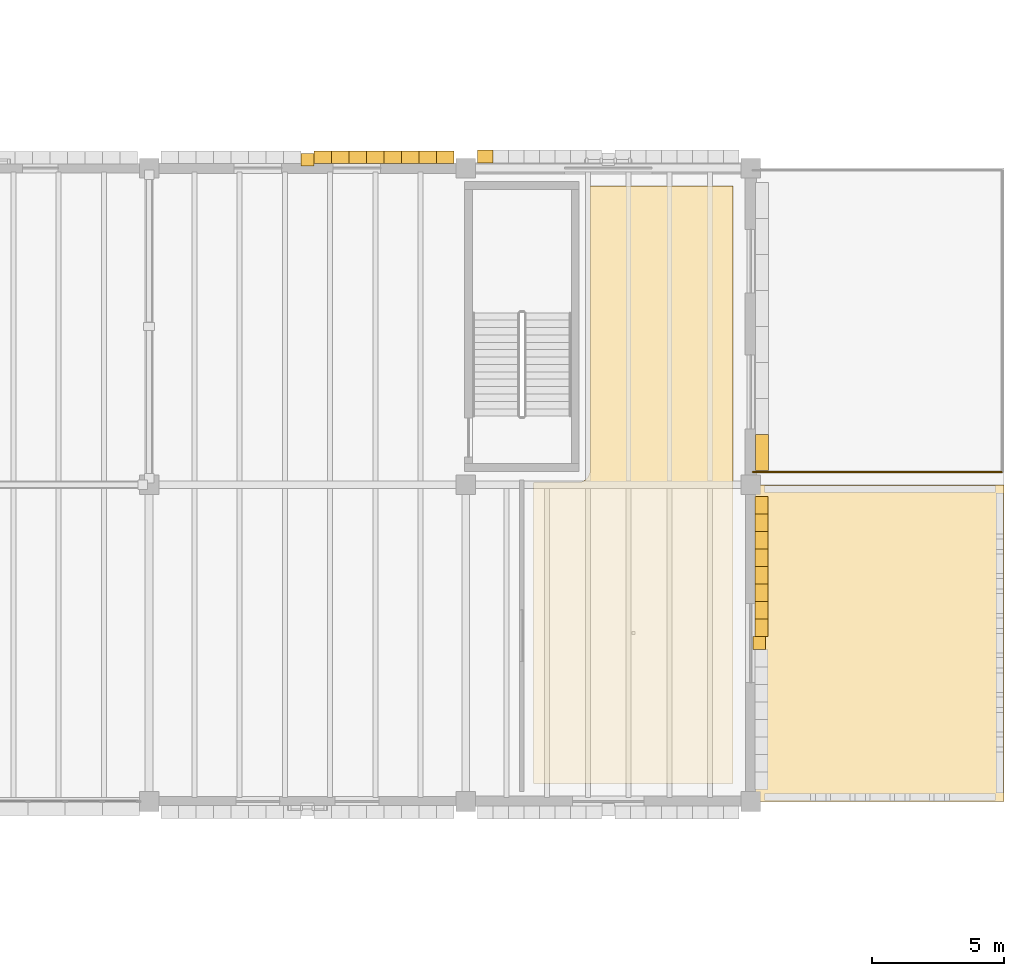
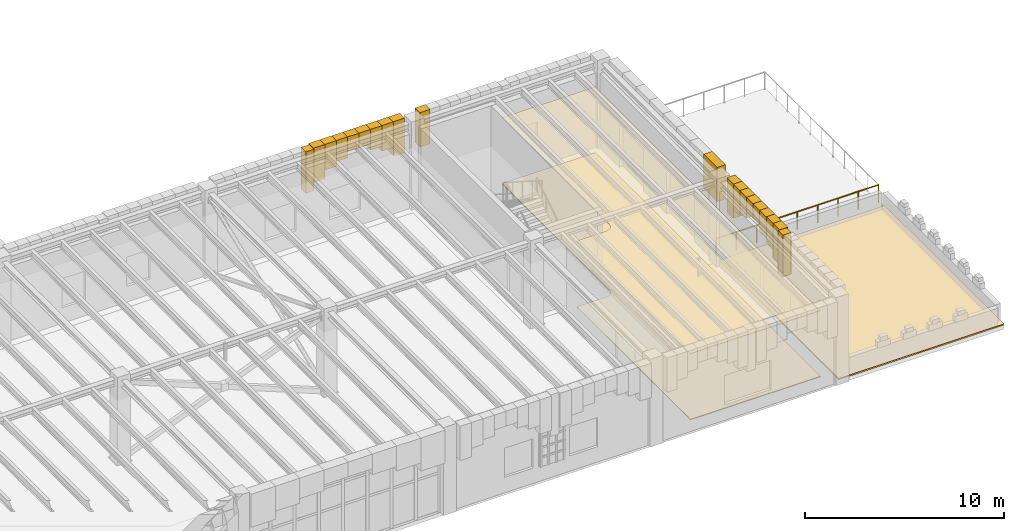
# One storey, part 95 of 103: 23 coverings, 1 railing.
"""IFC4 building model written with IfcOpenShell, lengths in metres."""

import ifcopenshell
import ifcopenshell.guid

model = None  # the IFC model being written
_history = None  # IfcOwnerHistory: only IFC2X3 demands one
_inside = {}  # id of a spatial element -> (the spatial element, [elements in it])
_under = {}  # id of a project, library or spatial element -> (it, [spatial elements below it])
_declared = {}  # id of a project -> (the project, [libraries it declares])
_typed = {}  # id of a type object -> (the type object, [elements of that type])
_made_of = {}  # id of a material, layer set ... -> (it, [elements and type objects made of it])


def new_model(schema):
    """Start an empty IFC model of exactly this schema.

    Asked for "IFC4X3", IfcOpenShell would pick the latest addendum, in which some entities
    have other attributes; the version numbers below select the first issue.
    IFC2X3 requires an IfcOwnerHistory on every rooted entity: one is made here for all.
    """
    global model, _history
    if schema == "IFC4X3":
        model = ifcopenshell.file(schema_version=(4, 3, 0, 0))
    else:
        model = ifcopenshell.file(schema=schema)
    _inside.clear()
    _under.clear()
    _declared.clear()
    _typed.clear()
    _made_of.clear()
    _history = None
    if model.schema == "IFC2X3":
        org = make("IfcOrganization", Name="unknown")
        user = make(
            "IfcPersonAndOrganization",
            ThePerson=make("IfcPerson", FamilyName="unknown"),
            TheOrganization=org,
        )
        app = make(
            "IfcApplication",
            ApplicationDeveloper=org,
            Version="unknown",
            ApplicationFullName="unknown",
            ApplicationIdentifier="unknown",
        )
        _history = make(
            "IfcOwnerHistory",
            OwningUser=user,
            OwningApplication=app,
            ChangeAction="ADDED",
            CreationDate=0,
        )
    return model


def make(cls, **values):
    """One entity of the class cls with the attributes given. An attribute that is None is left unset."""
    return model.create_entity(
        cls, **{name: value for name, value in values.items() if value is not None}
    )


def rooted(cls, **values):
    """An entity with a GlobalId (a new one), such as an element, a storey or a relation."""
    return make(cls, GlobalId=ifcopenshell.guid.new(), OwnerHistory=_history, **values)


def si_unit(unit_type, name, prefix=None):
    """IfcSIUnit, for example si_unit("LENGTHUNIT", "METRE", prefix="MILLI")."""
    return make("IfcSIUnit", UnitType=unit_type, Prefix=prefix, Name=name)


def assignment(units):
    """IfcUnitAssignment: the units of a project."""
    return None if units is None else make("IfcUnitAssignment", Units=units)


def point(xyz):
    """IfcCartesianPoint."""
    return None if xyz is None else make("IfcCartesianPoint", Coordinates=xyz)


def direction(xyz):
    """IfcDirection."""
    return None if xyz is None else make("IfcDirection", DirectionRatios=xyz)


def frame(location, z_axis=None, x_axis=None):
    """IfcAxis2Placement3D, a coordinate frame: its origin and axes. An axis left out is left unset."""
    return make(
        "IfcAxis2Placement3D",
        Location=point(location),
        Axis=direction(z_axis),
        RefDirection=direction(x_axis),
    )


def frame_2d(location, x_axis=None):
    """IfcAxis2Placement2D, a coordinate frame in the plane: its origin and x axis."""
    return make(
        "IfcAxis2Placement2D", Location=point(location), RefDirection=direction(x_axis)
    )


def origin():
    """The frame at (0, 0, 0) with its axes left unset."""
    return frame((0.0, 0.0, 0.0))


def origin_2d():
    """The frame at (0, 0) in the plane with its x axis left unset."""
    return frame_2d((0.0, 0.0))


def place(relative_to, where):
    """IfcLocalPlacement: puts the frame where relative to a parent placement (None: the world)."""
    return make(
        "IfcLocalPlacement", PlacementRelTo=relative_to, RelativePlacement=where
    )


def context(
    kind, dimensions, precision=None, world=None, true_north=None, identifier=None
):
    """IfcGeometricRepresentationContext, for example the 3D "Model" context."""
    return make(
        "IfcGeometricRepresentationContext",
        ContextIdentifier=identifier,
        ContextType=kind,
        CoordinateSpaceDimension=dimensions,
        Precision=precision,
        WorldCoordinateSystem=world,
        TrueNorth=true_north,
    )


def subcontext(parent, identifier, kind, view, scale=None):
    """IfcGeometricRepresentationSubContext, for example "Body" below "Model"."""
    return make(
        "IfcGeometricRepresentationSubContext",
        ContextIdentifier=identifier,
        ContextType=kind,
        ParentContext=parent,
        TargetScale=scale,
        TargetView=view,
    )


def project(units=None, contexts=None):
    """IfcProject with its units and contexts."""
    return rooted(
        "IfcProject",
        Name="project",
        RepresentationContexts=contexts,
        UnitsInContext=assignment(units),
    )


def spatial(cls, under=None, at=None, **own):
    """A site, building, storey or space (cls), placed at a placement, below another one or the project."""
    s = rooted(cls, ObjectPlacement=at, **own)
    if under is not None:
        _under.setdefault(under.id(), (under, []))[1].append(s)
    return s


def polyline(points):
    """IfcPolyline through the points."""
    return make("IfcPolyline", Points=[point(p) for p in points])


def profile(cls, at=None, kind="AREA", **sizes):
    """A parametric profile (cls). Its sizes go by their IFC names, for example OverallWidth=200.0."""
    return make(cls, ProfileType=kind, Position=at, **sizes)


def circle(**sizes):
    """IfcCircleProfileDef."""
    return profile("IfcCircleProfileDef", **sizes)


def outline(outer, holes=None, kind="AREA"):
    """IfcArbitraryClosedProfileDef: a profile drawn as a closed curve; with holes, ...WithVoids."""
    if holes is None:
        return make("IfcArbitraryClosedProfileDef", ProfileType=kind, OuterCurve=outer)
    return make(
        "IfcArbitraryProfileDefWithVoids",
        ProfileType=kind,
        OuterCurve=outer,
        InnerCurves=holes,
    )


def extrude(swept, where, along, depth):
    """IfcExtrudedAreaSolid: the profile swept, set in the frame where, extruded along a direction by depth."""
    return make(
        "IfcExtrudedAreaSolid",
        SweptArea=swept,
        Position=where,
        ExtrudedDirection=direction(along),
        Depth=depth,
    )


def shape(context_of_items, identifier, shape_type, items):
    """IfcShapeRepresentation: the items that make up one representation, for example the "Body"."""
    return make(
        "IfcShapeRepresentation",
        ContextOfItems=context_of_items,
        RepresentationIdentifier=identifier,
        RepresentationType=shape_type,
        Items=items,
    )


def material(Name=None, Category=None):
    """IfcMaterial."""
    return make("IfcMaterial", Name=Name, Category=Category)


def layer(
    of_material, thickness, ventilated=None, Name=None, Category=None, Priority=None
):
    """IfcMaterialLayer: one layer of a wall or slab, of a material (None: an air gap)."""
    return make(
        "IfcMaterialLayer",
        Material=of_material,
        LayerThickness=thickness,
        IsVentilated=ventilated,
        Name=Name,
        Category=Category,
        Priority=Priority,
    )


def layer_set(layers, Name=None):
    """IfcMaterialLayerSet."""
    return make("IfcMaterialLayerSet", MaterialLayers=layers, LayerSetName=Name)


def made_of(thing, what):
    """Note that an element or type object is made of a material, layer set ...; save() writes the relation."""
    if what is not None:
        _made_of.setdefault(what.id(), (what, []))[1].append(thing)
    return thing


def type_object(cls, material=None, **own):
    """A type object (cls), such as IfcWallType, which elements share."""
    return made_of(rooted(cls, **own), material)


def element(
    cls,
    number,
    at=None,
    inside=None,
    cuts=None,
    type_object=None,
    material=None,
    context=None,
    identifier="Body",
    shape_type=None,
    held_by="IfcProductDefinitionShape",
    body=None,
    shapes=None,
    **own,
):
    """One element of the class cls, such as IfcWall. Its Tag is "e" and its number.

    at: its placement. inside: the storey or other place that contains it. cuts: it is an
    opening in that element (IfcRelVoidsElement). A single representation is given by context,
    identifier, shape_type and body (its items); several are given by shapes. held_by: the class
    of the entity that holds the representations. save() writes the other relations.
    """
    e = rooted(cls, Tag="e%d" % number, ObjectPlacement=at, **own)
    if body is not None:
        shapes = [shape(context, identifier, shape_type, body)]
    if shapes is not None:
        e.Representation = make(held_by, Representations=shapes)
    if inside is not None:
        _inside.setdefault(inside.id(), (inside, []))[1].append(e)
    if cuts is not None:
        rooted(
            "IfcRelVoidsElement", RelatingBuildingElement=cuts, RelatedOpeningElement=e
        )
    if type_object is not None:
        _typed.setdefault(type_object.id(), (type_object, []))[1].append(e)
    return made_of(e, material)


def aggregate(whole, parts):
    """IfcRelAggregates: a whole, such as a stair, and the parts it consists of."""
    return rooted("IfcRelAggregates", RelatingObject=whole, RelatedObjects=parts)


def save(model, path):
    """Write the relations noted so far, then the file.

    IfcRelAggregates (storeys below a building ...), IfcRelContainedInSpatialStructure (elements
    in a storey), IfcRelDefinesByType, IfcRelAssociatesMaterial and IfcRelDeclares: one each for
    every whole, place, type object, material and project.
    """
    for whole, parts in _under.values():
        aggregate(whole, parts)
    for where, things in _inside.values():
        rooted(
            "IfcRelContainedInSpatialStructure",
            RelatedElements=things,
            RelatingStructure=where,
        )
    for kind, things in _typed.values():
        rooted("IfcRelDefinesByType", RelatedObjects=things, RelatingType=kind)
    for what, things in _made_of.values():
        rooted("IfcRelAssociatesMaterial", RelatedObjects=things, RelatingMaterial=what)
    for by, libraries in _declared.values():
        rooted("IfcRelDeclares", RelatingContext=by, RelatedDefinitions=libraries)
    model.write(path)


model = new_model("IFC4")

# Units and contexts
model_context = context("Model", 3, precision=1e-05, world=origin(), true_north=direction((0.0, 1.0)))
body_context = subcontext(model_context, "Body", "Model", "MODEL_VIEW")
ifc_project = project(units=[si_unit("LENGTHUNIT", "METRE"), si_unit("AREAUNIT", "SQUARE_METRE"), si_unit("VOLUMEUNIT", "CUBIC_METRE"), si_unit("PLANEANGLEUNIT", "RADIAN"), si_unit("MASSUNIT", "GRAM", prefix="KILO")], contexts=[model_context])

# Site, building, storey
site_placement = place(None, origin())
site = spatial("IfcSite", under=ifc_project, at=site_placement, CompositionType="ELEMENT")
building_placement = place(site_placement, origin())
building = spatial("IfcBuilding", under=site, at=building_placement, Name="Zlatogorsky Bluff Art Gallery", CompositionType="ELEMENT")
storey_placement = place(building_placement, origin())
storey = spatial("IfcBuildingStorey", under=building, at=storey_placement, Name="L00", CompositionType="ELEMENT", Elevation=0.0)

# Coverings
ifc_material_1 = material(Name="Perforated Gypsum Acoustic Board", Category="gypsum")
ifc_layer_1 = layer(ifc_material_1, 0.0400390625)
ifc_layer_set_1 = layer_set([ifc_layer_1], Name="Acoustic Gallery Ceiling CLG-01")
covering_type_1 = type_object("IfcCoveringType", Name="Acoustic Gallery Ceiling CLG-01", PredefinedType="CEILING", material=ifc_layer_set_1)
covering_1_placement = place(storey_placement, frame((0.0, 0.0, 4.050048828125)))
element("IfcCovering", 1, at=covering_1_placement, inside=storey, type_object=covering_type_1, Name="Conservation Studios and Restoration Labs acoustic ceiling", PredefinedType="CEILING", context=body_context, shape_type="SweptSolid", body=[
    extrude(outline(polyline([(166.1298828125, 49.72998046875), (166.1298828125, 27.070068359375), (158.574951171875, 27.070068359375), (158.574951171875, 38.489990234375), (160.2509765625, 38.489990234375), (160.29541015625, 38.4921875), (160.33935546875, 38.498779296875), (160.34033203125, 38.498779296875), (160.349609375, 38.5009765625), (160.3505859375, 38.501220703125), (160.393798828125, 38.512939453125), (160.435791015625, 38.529296875), (160.4375, 38.530029296875), (160.47314453125, 38.5478515625), (160.47412109375, 38.54833984375), (160.50634765625, 38.568115234375), (160.53662109375, 38.59033203125), (160.5380859375, 38.591552734375), (160.5751953125, 38.624755859375), (160.6083984375, 38.661865234375), (160.609619140625, 38.663330078125), (160.632080078125, 38.693603515625), (160.651611328125, 38.725830078125), (160.652099609375, 38.726806640625), (160.669921875, 38.762451171875), (160.6708984375, 38.764404296875), (160.68701171875, 38.80615234375), (160.698974609375, 38.849609375), (160.69921875, 38.850341796875), (160.701171875, 38.859619140625), (160.701416015625, 38.860595703125), (160.707763671875, 38.90478515625), (160.7099609375, 38.948974609375), (160.7099609375, 49.72998046875), (166.1298828125, 49.72998046875)])), origin(), (0.0, 0.0, 1.0), 0.0400390625),
])
ifc_material_2 = material(Name="Honed Red Agra-Tone Quartzitic Sandstone", Category="masonry")
ifc_layer_2 = layer(ifc_material_2, 0.1201171875)
ifc_layer_set_2 = layer_set([ifc_layer_2], Name="Carved Sandstone Cladding CLD-02")
covering_type_2 = type_object("IfcCoveringType", Name="Carved Sandstone Cladding CLD-02", PredefinedType="CLADDING", material=ifc_layer_set_2)
covering_2_placement = place(storey_placement, frame((0.0, 0.0, 2.81005859375)))
element("IfcCovering", 2, at=covering_2_placement, inside=storey, type_object=covering_type_2, Name="Mughal blind-arch sandstone pilaster L00.N.12.4", PredefinedType="CLADDING", context=body_context, shape_type="SweptSolid", body=[
    extrude(outline(polyline([(149.760009765625, 50.47998046875), (150.239990234375, 50.47998046875), (150.239990234375, 50.9599609375), (149.760009765625, 50.9599609375), (149.760009765625, 50.47998046875)])), origin(), (0.0, 0.0, 1.0), 2.550048828125),
])
covering_3_placement = place(storey_placement, frame((0.0, 0.0, 3.25244140625)))
element("IfcCovering", 3, at=covering_3_placement, inside=storey, type_object=covering_type_2, Name="Pointed Mughal arch voussoir spandrel WARCH-L00-N-12-04-B.1", PredefinedType="CLADDING", context=body_context, shape_type="SweptSolid", body=[
    extrude(outline(polyline([(150.25, 50.570068359375), (150.91259765625, 50.570068359375), (150.91259765625, 51.06005859375), (150.25, 51.06005859375), (150.25, 50.570068359375)])), origin(), (0.0, 0.0, 1.0), 2.107666015625),
])
covering_4_placement = place(storey_placement, frame((0.0, 0.0, 3.78369140625)))
element("IfcCovering", 4, at=covering_4_placement, inside=storey, type_object=covering_type_2, Name="Pointed Mughal arch voussoir spandrel WARCH-L00-N-12-04-B.2", PredefinedType="CLADDING", context=body_context, shape_type="SweptSolid", body=[
    extrude(outline(polyline([(150.91259765625, 50.570068359375), (151.574951171875, 50.570068359375), (151.574951171875, 51.06005859375), (150.91259765625, 51.06005859375), (150.91259765625, 50.570068359375)])), origin(), (0.0, 0.0, 1.0), 1.576416015625),
])
covering_5_placement = place(storey_placement, frame((0.0, 0.0, 4.07666015625)))
element("IfcCovering", 5, at=covering_5_placement, inside=storey, type_object=covering_type_2, Name="Pointed Mughal arch voussoir spandrel WARCH-L00-N-12-04-B.3", PredefinedType="CLADDING", context=body_context, shape_type="SweptSolid", body=[
    extrude(outline(polyline([(151.574951171875, 50.570068359375), (152.237548828125, 50.570068359375), (152.237548828125, 51.06005859375), (151.574951171875, 51.06005859375), (151.574951171875, 50.570068359375)])), origin(), (0.0, 0.0, 1.0), 1.283447265625),
])
covering_6_placement = place(storey_placement, frame((0.0, 0.0, 4.4453125)))
element("IfcCovering", 6, at=covering_6_placement, inside=storey, type_object=covering_type_2, Name="Pointed Mughal arch voussoir spandrel WARCH-L00-N-12-04-B.4", PredefinedType="CLADDING", context=body_context, shape_type="SweptSolid", body=[
    extrude(outline(polyline([(152.237548828125, 50.570068359375), (152.89990234375, 50.570068359375), (152.89990234375, 51.06005859375), (152.237548828125, 51.06005859375), (152.237548828125, 50.570068359375)])), origin(), (0.0, 0.0, 1.0), 0.914794921875),
])
covering_7_placement = place(storey_placement, frame((0.0, 0.0, 4.4453125)))
element("IfcCovering", 7, at=covering_7_placement, inside=storey, type_object=covering_type_2, Name="Pointed Mughal arch voussoir spandrel WARCH-L00-N-12-04-B.5", PredefinedType="CLADDING", context=body_context, shape_type="SweptSolid", body=[
    extrude(outline(polyline([(152.89990234375, 50.570068359375), (153.5625, 50.570068359375), (153.5625, 51.06005859375), (152.89990234375, 51.06005859375), (152.89990234375, 50.570068359375)])), origin(), (0.0, 0.0, 1.0), 0.914794921875),
])
covering_8_placement = place(storey_placement, frame((0.0, 0.0, 4.07666015625)))
element("IfcCovering", 8, at=covering_8_placement, inside=storey, type_object=covering_type_2, Name="Pointed Mughal arch voussoir spandrel WARCH-L00-N-12-04-B.6", PredefinedType="CLADDING", context=body_context, shape_type="SweptSolid", body=[
    extrude(outline(polyline([(153.5625, 50.570068359375), (154.22509765625, 50.570068359375), (154.22509765625, 51.06005859375), (153.5625, 51.06005859375), (153.5625, 50.570068359375)])), origin(), (0.0, 0.0, 1.0), 1.283447265625),
])
covering_9_placement = place(storey_placement, frame((0.0, 0.0, 3.78369140625)))
element("IfcCovering", 9, at=covering_9_placement, inside=storey, type_object=covering_type_2, Name="Pointed Mughal arch voussoir spandrel WARCH-L00-N-12-04-B.7", PredefinedType="CLADDING", context=body_context, shape_type="SweptSolid", body=[
    extrude(outline(polyline([(154.22509765625, 50.570068359375), (154.887451171875, 50.570068359375), (154.887451171875, 51.06005859375), (154.22509765625, 51.06005859375), (154.22509765625, 50.570068359375)])), origin(), (0.0, 0.0, 1.0), 1.576416015625),
])
covering_10_placement = place(storey_placement, frame((0.0, 0.0, 3.25244140625)))
element("IfcCovering", 10, at=covering_10_placement, inside=storey, type_object=covering_type_2, Name="Pointed Mughal arch voussoir spandrel WARCH-L00-N-12-04-B.8", PredefinedType="CLADDING", context=body_context, shape_type="SweptSolid", body=[
    extrude(outline(polyline([(154.887451171875, 50.570068359375), (155.550048828125, 50.570068359375), (155.550048828125, 51.06005859375), (154.887451171875, 51.06005859375), (154.887451171875, 50.570068359375)])), origin(), (0.0, 0.0, 1.0), 2.107666015625),
])
covering_11_placement = place(storey_placement, frame((0.0, 0.0, 2.81005859375)))
element("IfcCovering", 11, at=covering_11_placement, inside=storey, type_object=covering_type_2, Name="Mughal blind-arch sandstone pilaster L00.E.13.3", PredefinedType="CLADDING", context=body_context, shape_type="SweptSolid", body=[
    extrude(outline(polyline([(166.8798828125, 32.159912109375), (167.360107421875, 32.159912109375), (167.360107421875, 32.639892578125), (166.8798828125, 32.639892578125), (166.8798828125, 32.159912109375)])), origin(), (0.0, 0.0, 1.0), 2.550048828125),
])
covering_12_placement = place(storey_placement, frame((0.0, 0.0, 3.25244140625)))
element("IfcCovering", 12, at=covering_12_placement, inside=storey, type_object=covering_type_2, Name="Pointed Mughal arch voussoir spandrel WARCH-L00-E-13-03-B.1", PredefinedType="CLADDING", context=body_context, shape_type="SweptSolid", body=[
    extrude(outline(polyline([(166.969970703125, 32.64990234375), (166.969970703125, 33.3125), (167.4599609375, 33.3125), (167.4599609375, 32.64990234375), (166.969970703125, 32.64990234375)])), origin(), (0.0, 0.0, 1.0), 2.107666015625),
])
covering_13_placement = place(storey_placement, frame((0.0, 0.0, 3.78369140625)))
element("IfcCovering", 13, at=covering_13_placement, inside=storey, type_object=covering_type_2, Name="Pointed Mughal arch voussoir spandrel WARCH-L00-E-13-03-B.2", PredefinedType="CLADDING", context=body_context, shape_type="SweptSolid", body=[
    extrude(outline(polyline([(166.969970703125, 33.3125), (166.969970703125, 33.97509765625), (167.4599609375, 33.97509765625), (167.4599609375, 33.3125), (166.969970703125, 33.3125)])), origin(), (0.0, 0.0, 1.0), 1.576416015625),
])
covering_14_placement = place(storey_placement, frame((0.0, 0.0, 4.07666015625)))
element("IfcCovering", 14, at=covering_14_placement, inside=storey, type_object=covering_type_2, Name="Pointed Mughal arch voussoir spandrel WARCH-L00-E-13-03-B.3", PredefinedType="CLADDING", context=body_context, shape_type="SweptSolid", body=[
    extrude(outline(polyline([(166.969970703125, 33.97509765625), (166.969970703125, 34.637451171875), (167.4599609375, 34.637451171875), (167.4599609375, 33.97509765625), (166.969970703125, 33.97509765625)])), origin(), (0.0, 0.0, 1.0), 1.283447265625),
])
covering_15_placement = place(storey_placement, frame((0.0, 0.0, 4.4453125)))
element("IfcCovering", 15, at=covering_15_placement, inside=storey, type_object=covering_type_2, Name="Pointed Mughal arch voussoir spandrel WARCH-L00-E-13-03-B.4", PredefinedType="CLADDING", context=body_context, shape_type="SweptSolid", body=[
    extrude(outline(polyline([(166.969970703125, 34.637451171875), (166.969970703125, 35.300048828125), (167.4599609375, 35.300048828125), (167.4599609375, 34.637451171875), (166.969970703125, 34.637451171875)])), origin(), (0.0, 0.0, 1.0), 0.914794921875),
])
covering_16_placement = place(storey_placement, frame((0.0, 0.0, 4.4453125)))
element("IfcCovering", 16, at=covering_16_placement, inside=storey, type_object=covering_type_2, Name="Pointed Mughal arch voussoir spandrel WARCH-L00-E-13-03-B.5", PredefinedType="CLADDING", context=body_context, shape_type="SweptSolid", body=[
    extrude(outline(polyline([(166.969970703125, 35.300048828125), (166.969970703125, 35.96240234375), (167.4599609375, 35.96240234375), (167.4599609375, 35.300048828125), (166.969970703125, 35.300048828125)])), origin(), (0.0, 0.0, 1.0), 0.914794921875),
])
covering_17_placement = place(storey_placement, frame((0.0, 0.0, 4.07666015625)))
element("IfcCovering", 17, at=covering_17_placement, inside=storey, type_object=covering_type_2, Name="Pointed Mughal arch voussoir spandrel WARCH-L00-E-13-03-B.6", PredefinedType="CLADDING", context=body_context, shape_type="SweptSolid", body=[
    extrude(outline(polyline([(166.969970703125, 35.96240234375), (166.969970703125, 36.625), (167.4599609375, 36.625), (167.4599609375, 35.96240234375), (166.969970703125, 35.96240234375)])), origin(), (0.0, 0.0, 1.0), 1.283447265625),
])
covering_18_placement = place(storey_placement, frame((0.0, 0.0, 3.78369140625)))
element("IfcCovering", 18, at=covering_18_placement, inside=storey, type_object=covering_type_2, Name="Pointed Mughal arch voussoir spandrel WARCH-L00-E-13-03-B.7", PredefinedType="CLADDING", context=body_context, shape_type="SweptSolid", body=[
    extrude(outline(polyline([(166.969970703125, 36.625), (166.969970703125, 37.28759765625), (167.4599609375, 37.28759765625), (167.4599609375, 36.625), (166.969970703125, 36.625)])), origin(), (0.0, 0.0, 1.0), 1.576416015625),
])
covering_19_placement = place(storey_placement, frame((0.0, 0.0, 3.25244140625)))
element("IfcCovering", 19, at=covering_19_placement, inside=storey, type_object=covering_type_2, Name="Pointed Mughal arch voussoir spandrel WARCH-L00-E-13-03-B.8", PredefinedType="CLADDING", context=body_context, shape_type="SweptSolid", body=[
    extrude(outline(polyline([(166.969970703125, 37.28759765625), (166.969970703125, 37.949951171875), (167.4599609375, 37.949951171875), (167.4599609375, 37.28759765625), (166.969970703125, 37.28759765625)])), origin(), (0.0, 0.0, 1.0), 2.107666015625),
])
covering_20_placement = place(storey_placement, frame((0.0, 0.0, 3.25244140625)))
element("IfcCovering", 20, at=covering_20_placement, inside=storey, type_object=covering_type_2, Name="Pointed Mughal arch voussoir spandrel WARCH-L00-N-13-04-A.1", PredefinedType="CLADDING", context=body_context, shape_type="SweptSolid", body=[
    extrude(outline(polyline([(156.449951171875, 50.590087890625), (157.03759765625, 50.590087890625), (157.03759765625, 51.080078125), (156.449951171875, 51.080078125), (156.449951171875, 50.590087890625)])), origin(), (0.0, 0.0, 1.0), 2.107666015625),
])
covering_21_placement = place(storey_placement, frame((0.0, 0.0, 3.25244140625)))
element("IfcCovering", 21, at=covering_21_placement, inside=storey, type_object=covering_type_2, Name="Pointed Mughal arch voussoir spandrel WARCH-L00-E-13-04-A.1", PredefinedType="CLADDING", context=body_context, shape_type="SweptSolid", body=[
    extrude(outline(polyline([(166.989990234375, 38.949951171875), (166.989990234375, 40.3125), (167.47998046875, 40.3125), (167.47998046875, 38.949951171875), (166.989990234375, 38.949951171875)])), origin(), (0.0, 0.0, 1.0), 2.107666015625),
])

# Railing
ifc_material_3 = material(Name="Architectural Bronze and Laminated Glass", Category="glass")
railing_type = type_object("IfcRailingType", Name="Gallery Guard Rail 1100mm", PredefinedType="GUARDRAIL", material=ifc_material_3)
railing_placement = place(storey_placement, frame((176.320068359375, 38.8798828125, 0.0)))
element("IfcRailing", 22, at=railing_placement, inside=storey, type_object=railing_type, Name="Sculpture terrace balustrade TERR-L00-02.2", PredefinedType="GUARDRAIL", context=body_context, shape_type="SweptSolid", body=[
    extrude(circle(Radius=0.02392578125, at=origin_2d()), frame((0.0, 0.0, 1.076171875), z_axis=(-1.0, 0.0, 0.0), x_axis=(0.0, -1.0, 0.0)), (0.0, 0.0, 1.0), 9.440185546875),
    extrude(circle(Radius=0.02099609375, at=origin_2d()), origin(), (0.0, 0.0, 1.0), 1.052001953125),
    extrude(circle(Radius=0.02099609375, at=origin_2d()), frame((-1.179931640625, 0.0, 0.0)), (0.0, 0.0, 1.0), 1.052001953125),
    extrude(circle(Radius=0.02099609375, at=origin_2d()), frame((-2.360107421875, 0.0, 0.0)), (0.0, 0.0, 1.0), 1.052001953125),
    extrude(circle(Radius=0.02099609375, at=origin_2d()), frame((-3.5400390625, 0.0, 0.0)), (0.0, 0.0, 1.0), 1.052001953125),
    extrude(circle(Radius=0.02099609375, at=origin_2d()), frame((-4.72021484375, 0.0, 0.0)), (0.0, 0.0, 1.0), 1.052001953125),
    extrude(circle(Radius=0.02099609375, at=origin_2d()), frame((-5.900146484375, 0.0, 0.0)), (0.0, 0.0, 1.0), 1.052001953125),
    extrude(circle(Radius=0.02099609375, at=origin_2d()), frame((-7.080078125, 0.0, 0.0)), (0.0, 0.0, 1.0), 1.052001953125),
    extrude(circle(Radius=0.02099609375, at=origin_2d()), frame((-8.26025390625, 0.0, 0.0)), (0.0, 0.0, 1.0), 1.052001953125),
    extrude(circle(Radius=0.02099609375, at=origin_2d()), frame((-9.440185546875, 0.0, 0.0)), (0.0, 0.0, 1.0), 1.052001953125),
])

# Coverings
ifc_material_4 = material(Name="EPDM and Red-Sandstone Ballast Roofing", Category="masonry")
ifc_layer_3 = layer(ifc_material_4, 0.080078125)
ifc_layer_set_3 = layer_set([ifc_layer_3], Name="Insulated Roof Membrane RFM-01")
covering_type_3 = type_object("IfcCoveringType", Name="Insulated Roof Membrane RFM-01", PredefinedType="ROOFING", material=ifc_layer_set_3)
covering_22_placement = place(storey_placement, origin())
element("IfcCovering", 23, at=covering_22_placement, inside=storey, type_object=covering_type_3, Name="Roof membrane ROOF-FLAT-L00-01", PredefinedType="ROOFING", context=body_context, shape_type="SweptSolid", body=[
    extrude(outline(polyline([(176.39990234375, 26.39990234375), (176.39990234375, 38.39990234375), (166.800048828125, 38.39990234375), (166.800048828125, 26.39990234375), (176.39990234375, 26.39990234375)])), origin(), (0.0, 0.0, 1.0), 0.080078125),
])
ifc_material_5 = material(Name="Polished Ural Marble Terrazzo", Category="masonry")
ifc_layer_4 = layer(ifc_material_5, 0.050048828125)
ifc_layer_set_4 = layer_set([ifc_layer_4], Name="Terrazzo Gallery Flooring FLR-01")
covering_type_4 = type_object("IfcCoveringType", Name="Terrazzo Gallery Flooring FLR-01", PredefinedType="FLOORING", material=ifc_layer_set_4)
covering_23_placement = place(storey_placement, origin())
element("IfcCovering", 24, at=covering_23_placement, inside=storey, type_object=covering_type_4, Name="Conservation Studios and Restoration Labs terrazzo floor finish", PredefinedType="FLOORING", context=body_context, shape_type="SweptSolid", body=[
    extrude(outline(polyline([(166.1298828125, 49.72998046875), (166.1298828125, 27.070068359375), (158.574951171875, 27.070068359375), (158.574951171875, 38.489990234375), (160.2509765625, 38.489990234375), (160.29541015625, 38.4921875), (160.33935546875, 38.498779296875), (160.34033203125, 38.498779296875), (160.349609375, 38.5009765625), (160.3505859375, 38.501220703125), (160.393798828125, 38.512939453125), (160.435791015625, 38.529296875), (160.4375, 38.530029296875), (160.47314453125, 38.5478515625), (160.47412109375, 38.54833984375), (160.50634765625, 38.568115234375), (160.53662109375, 38.59033203125), (160.5380859375, 38.591552734375), (160.5751953125, 38.624755859375), (160.6083984375, 38.661865234375), (160.609619140625, 38.663330078125), (160.632080078125, 38.693603515625), (160.651611328125, 38.725830078125), (160.652099609375, 38.726806640625), (160.669921875, 38.762451171875), (160.6708984375, 38.764404296875), (160.68701171875, 38.80615234375), (160.698974609375, 38.849609375), (160.69921875, 38.850341796875), (160.701171875, 38.859619140625), (160.701416015625, 38.860595703125), (160.707763671875, 38.90478515625), (160.7099609375, 38.948974609375), (160.7099609375, 49.72998046875), (166.1298828125, 49.72998046875)])), origin(), (0.0, 0.0, 1.0), 0.050048828125),
])

save(model, "model.ifc")
